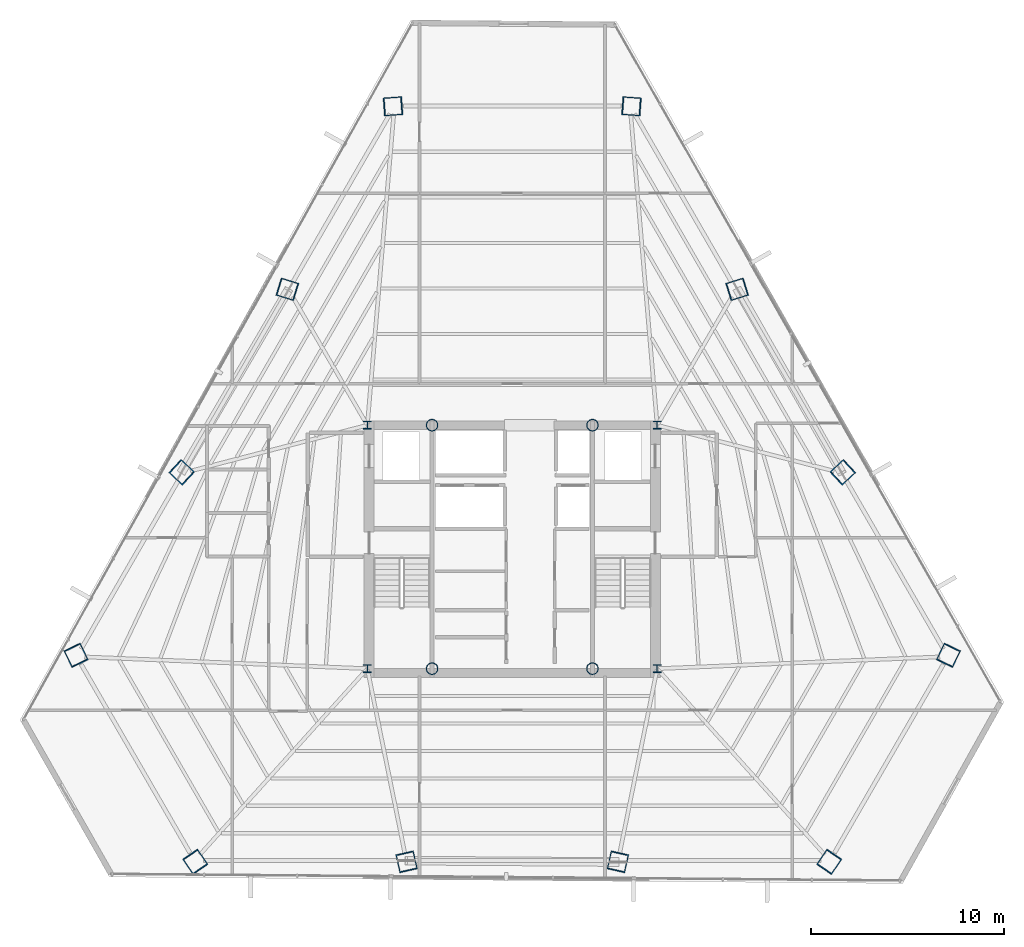
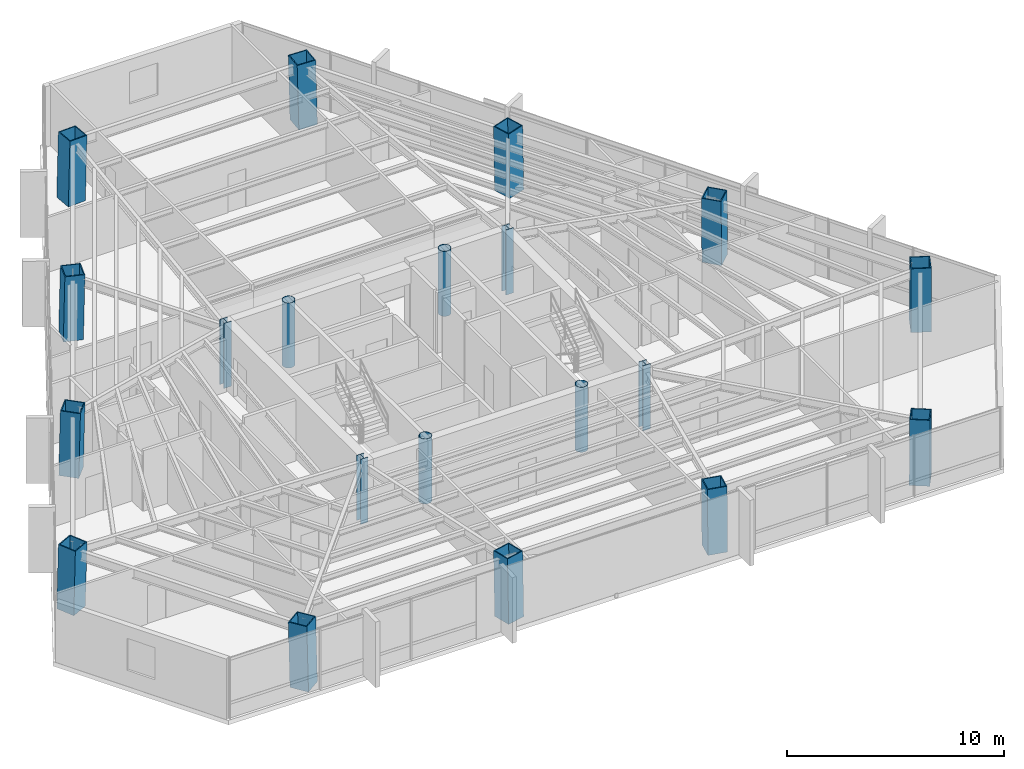
# One storey, part 1 of 38: 20 columns.
"""IFC4 building model written with IfcOpenShell, lengths in metres."""

from ifc_helpers import new_model, si_unit, direction, frame, origin, origin_2d, place, context, subcontext, project, spatial, hollow_rectangle, hollow_circle, i_section, extrude, source, transform, mapped, material, material_profile, profile_set, type_object, type_shapes, element, save


model = new_model("IFC4")

# Units and contexts
model_context = context("Model", 3, precision=1e-05, world=origin(), true_north=direction((0.0, 1.0)))
body_context = subcontext(model_context, "Body", "Model", "MODEL_VIEW")
ifc_project = project(units=[si_unit("LENGTHUNIT", "METRE"), si_unit("AREAUNIT", "SQUARE_METRE"), si_unit("VOLUMEUNIT", "CUBIC_METRE"), si_unit("PLANEANGLEUNIT", "RADIAN"), si_unit("MASSUNIT", "GRAM", prefix="KILO")], contexts=[model_context])

# Site, building, storey
site_placement = place(None, origin())
site = spatial("IfcSite", under=ifc_project, at=site_placement, CompositionType="ELEMENT")
building_placement = place(site_placement, origin())
building = spatial("IfcBuilding", under=site, at=building_placement, Name="Caelisora Broadcast Tower", CompositionType="ELEMENT")
storey_placement = place(building_placement, frame((0.0, 0.0, 158.5)))
storey = spatial("IfcBuildingStorey", under=building, at=storey_placement, Name="L41", CompositionType="ELEMENT", Elevation=158.5)

# Columns
ifc_material_1 = material(Name="Steel Grade 350 (AS/NZS 3679.2)", Category="steel")
ifc_material_profile_1 = material_profile(ifc_material_1, i_section(OverallWidth=0.39990234375, OverallDepth=0.39990234375, WebThickness=0.02001953125, FlangeThickness=0.031982421875, at=origin_2d()), Name="Steel Grade 350 (AS/NZS 3679.2)")
ifc_profile_set_1 = profile_set([ifc_material_profile_1], Name="Steel Grade 350 (AS/NZS 3679.2)")
column_type_1 = type_object("IfcColumnType", Name="CC02", PredefinedType="COLUMN", material=ifc_profile_set_1)
shared_shape_1 = source(origin(), body_context, "Body", "SweptSolid", [
    extrude(i_section(OverallWidth=0.39990234375, OverallDepth=0.39990234375, WebThickness=0.02001953125, FlangeThickness=0.031982421875, at=origin_2d()), origin(), (0.0, 0.0, 1.0), 3.64990234375),
])
type_shapes(column_type_1, [shared_shape_1])
for number, where, z_axis, x_axis, name in (
    (1, (30.5, 17.39990234375, 0.0), (0.0, 0.0, 1.0), (1.0, 0.0, 0.0), "L41 column CC02"),
    (2, (45.5, 17.39990234375, 0.0), (0.0, 0.0, 1.0), (1.0, 0.0, 0.0), "L41 column CC02"),
    (3, (45.5, 30.0, 0.0), (0.0, 0.0, 1.0), (1.0, 0.0, 0.0), "L41 column CC02"),
    (4, (30.5, 30.0, 0.0), (0.0, 0.0, 1.0), (1.0, 0.0, 0.0), "L41 column CC02"),
):
    element("IfcColumn", number, at=place(storey_placement, frame(where, z_axis=z_axis, x_axis=x_axis)), inside=storey, type_object=column_type_1, Name=name, PredefinedType="COLUMN", context=body_context, shape_type="MappedRepresentation", body=[
        mapped(shared_shape_1, transform((0.0, 0.0, 0.0), scale=1.0)),
    ])
ifc_material_2 = material(Name="Steel Grade 350 L15 (AS/NZS 3678)", Category="steel")
ifc_material_profile_2 = material_profile(ifc_material_2, hollow_circle(Radius=0.304931640625, WallThickness=0.02490234375, at=origin_2d()), Name="Steel Grade 350 L15 (AS/NZS 3678)")
ifc_profile_set_2 = profile_set([ifc_material_profile_2], Name="Steel Grade 350 L15 (AS/NZS 3678)")
column_type_2 = type_object("IfcColumnType", Name="CC06", PredefinedType="COLUMN", material=ifc_profile_set_2)
shared_shape_2 = source(origin(), body_context, "Body", "SweptSolid", [
    extrude(hollow_circle(Radius=0.304931640625, WallThickness=0.02490234375, at=origin_2d()), origin(), (0.0, 0.0, 1.0), 3.64990234375),
])
type_shapes(column_type_2, [shared_shape_2])
for number, where, z_axis, x_axis, name in (
    (5, (33.85009765625, 17.39990234375, 0.0), (0.0, 0.0, 1.0), (1.0, 0.0, 0.0), "L41 column CC06"),
    (6, (42.14990234375, 17.39990234375, 0.0), (0.0, 0.0, 1.0), (1.0, 0.0, 0.0), "L41 column CC06"),
    (7, (33.85009765625, 30.0, 0.0), (0.0, 0.0, 1.0), (1.0, 0.0, 0.0), "L41 column CC06"),
    (8, (42.14990234375, 30.0, 0.0), (0.0, 0.0, 1.0), (1.0, 0.0, 0.0), "L41 column CC06"),
):
    element("IfcColumn", number, at=place(storey_placement, frame(where, z_axis=z_axis, x_axis=x_axis)), inside=storey, type_object=column_type_2, Name=name, PredefinedType="COLUMN", context=body_context, shape_type="MappedRepresentation", body=[
        mapped(shared_shape_2, transform((0.0, 0.0, 0.0), scale=1.0)),
    ])
ifc_material_profile_3 = material_profile(ifc_material_2, hollow_rectangle(XDim=0.949951171875, YDim=0.949951171875, WallThickness=0.050048828125, at=origin_2d()), Name="Steel Grade 350 L15 (AS/NZS 3678)")
ifc_profile_set_3 = profile_set([ifc_material_profile_3], Name="Steel Grade 350 L15 (AS/NZS 3678)")
column_type_3 = type_object("IfcColumnType", Name="MC04", PredefinedType="COLUMN", material=ifc_profile_set_3)
shared_shape_3 = source(origin(), body_context, "Body", "SweptSolid", [
    extrude(hollow_rectangle(XDim=0.949951171875, YDim=0.949951171875, WallThickness=0.050048828125, at=origin_2d()), origin(), (0.0, 0.0, 1.0), 3.65087890625),
])
for number, where, z_axis, x_axis, name in (
    (9, (44.1845703125, 46.50244140625, 0.0), (-0.023872756997, 0.001738632162, 0.999713493273), (-0.07263675076, -0.997358462359, 0.0), "L41 column MC04"),
    (10, (31.8154296875, 46.50244140625, 0.0), (0.023872756997, 0.001738632162, 0.999713493273), (-0.07263675076, 0.997358462359, 0.0), "L41 column MC04"),
    (11, (15.420166015625, 18.104736328125, 0.0), (0.010364932146, -0.021532310652, 0.999714423113), (0.901042175273, 0.433731481886, 0.0), "L41 column MC04"),
    (12, (21.604736328125, 7.392822265625, 0.0), (-0.013507825582, 0.019793645407, 0.999712833893), (-0.825991119814, -0.563683129062, 0.0), "L41 column MC04"),
    (13, (54.395263671875, 7.392822265625, 0.0), (0.013507825582, 0.019793645407, 0.999712833893), (-0.825991119814, 0.563683129062, 0.0), "L41 column MC04"),
    (14, (60.579833984375, 18.104736328125, 0.0), (-0.010364932146, -0.021532310652, 0.999714423113), (0.901042175273, -0.433731481886, 0.0), "L41 column MC04"),
):
    element("IfcColumn", number, at=place(storey_placement, frame(where, z_axis=z_axis, x_axis=x_axis)), inside=storey, type_object=column_type_3, Name=name, PredefinedType="COLUMN", context=body_context, shape_type="MappedRepresentation", body=[
        mapped(shared_shape_3, transform((0.0, 0.0, 0.0), scale=1.0)),
    ])
shared_shape_4 = source(origin(), body_context, "Body", "SweptSolid", [
    extrude(hollow_rectangle(XDim=0.949951171875, YDim=0.949951171875, WallThickness=0.050048828125, at=origin_2d()), origin(), (0.0, 0.0, 1.0), 3.650634765625),
])
type_shapes(column_type_3, [shared_shape_3, shared_shape_4])
for number, where, z_axis, x_axis, name in (
    (15, (26.350341796875, 37.03662109375, 0.0), (0.019393993486, -0.006018825565, 0.999793802119), (0.296399214872, 0.955064136811, 0.0), "L41 column MC04"),
    (16, (20.88525390625, 27.57080078125, 0.0), (0.014913299626, -0.013843287097, 0.999792957015), (0.680325028146, 0.732910537568, 0.0), "L41 column MC04"),
    (17, (32.534912109375, 7.392822265625, 0.0), (-0.004480682206, 0.019795252729, 0.999794014513), (-0.975326687046, -0.220766513622, 0.0), "L41 column MC04"),
    (18, (43.465087890625, 7.392822265625, 0.0), (0.004480682206, 0.019795252729, 0.999794014513), (-0.975326687046, 0.220766513622, 0.0), "L41 column MC04"),
    (19, (55.11474609375, 27.57080078125, 0.0), (-0.014913299626, -0.013843287097, 0.999792957015), (0.680325028146, -0.732910537568, 0.0), "L41 column MC04"),
    (20, (49.649658203125, 37.03662109375, 0.0), (-0.019393993486, -0.006018825565, 0.999793802119), (0.296399214872, -0.955064136811, 0.0), "L41 column MC04"),
):
    element("IfcColumn", number, at=place(storey_placement, frame(where, z_axis=z_axis, x_axis=x_axis)), inside=storey, type_object=column_type_3, Name=name, PredefinedType="COLUMN", context=body_context, shape_type="MappedRepresentation", body=[
        mapped(shared_shape_4, transform((0.0, 0.0, 0.0), scale=1.0)),
    ])

save(model, "model.ifc")
